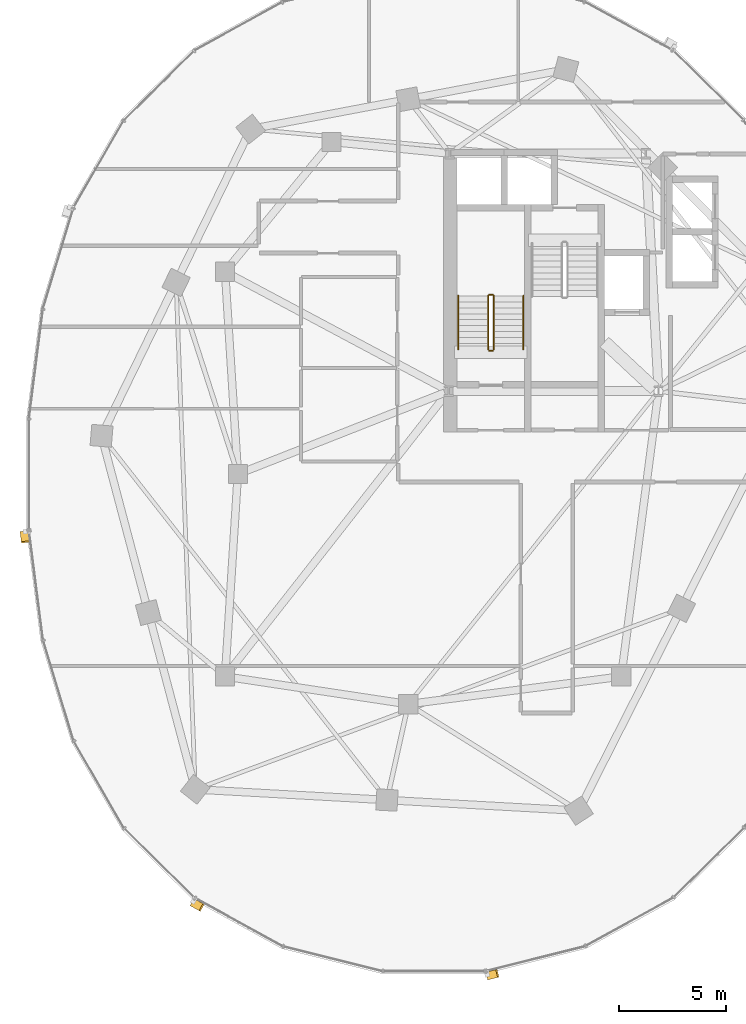
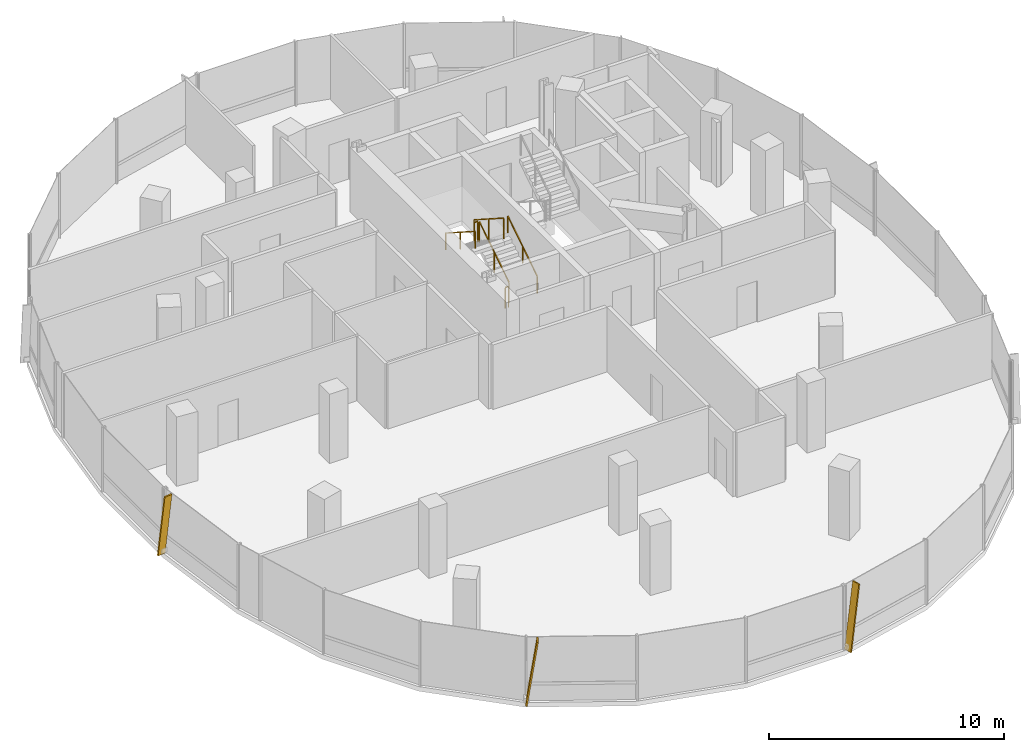
# One storey, part 18 of 22: 6 railings, 3 shading devices.
"""IFC4 building model written with IfcOpenShell, lengths in metres."""

import ifcopenshell
import ifcopenshell.guid

model = None  # the IFC model being written
_history = None  # IfcOwnerHistory: only IFC2X3 demands one
_inside = {}  # id of a spatial element -> (the spatial element, [elements in it])
_under = {}  # id of a project, library or spatial element -> (it, [spatial elements below it])
_declared = {}  # id of a project -> (the project, [libraries it declares])
_typed = {}  # id of a type object -> (the type object, [elements of that type])
_made_of = {}  # id of a material, layer set ... -> (it, [elements and type objects made of it])


def new_model(schema):
    """Start an empty IFC model of exactly this schema.

    Asked for "IFC4X3", IfcOpenShell would pick the latest addendum, in which some entities
    have other attributes; the version numbers below select the first issue.
    IFC2X3 requires an IfcOwnerHistory on every rooted entity: one is made here for all.
    """
    global model, _history
    if schema == "IFC4X3":
        model = ifcopenshell.file(schema_version=(4, 3, 0, 0))
    else:
        model = ifcopenshell.file(schema=schema)
    _inside.clear()
    _under.clear()
    _declared.clear()
    _typed.clear()
    _made_of.clear()
    _history = None
    if model.schema == "IFC2X3":
        org = make("IfcOrganization", Name="unknown")
        user = make(
            "IfcPersonAndOrganization",
            ThePerson=make("IfcPerson", FamilyName="unknown"),
            TheOrganization=org,
        )
        app = make(
            "IfcApplication",
            ApplicationDeveloper=org,
            Version="unknown",
            ApplicationFullName="unknown",
            ApplicationIdentifier="unknown",
        )
        _history = make(
            "IfcOwnerHistory",
            OwningUser=user,
            OwningApplication=app,
            ChangeAction="ADDED",
            CreationDate=0,
        )
    return model


def make(cls, **values):
    """One entity of the class cls with the attributes given. An attribute that is None is left unset."""
    return model.create_entity(
        cls, **{name: value for name, value in values.items() if value is not None}
    )


def rooted(cls, **values):
    """An entity with a GlobalId (a new one), such as an element, a storey or a relation."""
    return make(cls, GlobalId=ifcopenshell.guid.new(), OwnerHistory=_history, **values)


def si_unit(unit_type, name, prefix=None):
    """IfcSIUnit, for example si_unit("LENGTHUNIT", "METRE", prefix="MILLI")."""
    return make("IfcSIUnit", UnitType=unit_type, Prefix=prefix, Name=name)


def assignment(units):
    """IfcUnitAssignment: the units of a project."""
    return None if units is None else make("IfcUnitAssignment", Units=units)


def point(xyz):
    """IfcCartesianPoint."""
    return None if xyz is None else make("IfcCartesianPoint", Coordinates=xyz)


def direction(xyz):
    """IfcDirection."""
    return None if xyz is None else make("IfcDirection", DirectionRatios=xyz)


def frame(location, z_axis=None, x_axis=None):
    """IfcAxis2Placement3D, a coordinate frame: its origin and axes. An axis left out is left unset."""
    return make(
        "IfcAxis2Placement3D",
        Location=point(location),
        Axis=direction(z_axis),
        RefDirection=direction(x_axis),
    )


def frame_2d(location, x_axis=None):
    """IfcAxis2Placement2D, a coordinate frame in the plane: its origin and x axis."""
    return make(
        "IfcAxis2Placement2D", Location=point(location), RefDirection=direction(x_axis)
    )


def origin():
    """The frame at (0, 0, 0) with its axes left unset."""
    return frame((0.0, 0.0, 0.0))


def origin_2d():
    """The frame at (0, 0) in the plane with its x axis left unset."""
    return frame_2d((0.0, 0.0))


def place(relative_to, where):
    """IfcLocalPlacement: puts the frame where relative to a parent placement (None: the world)."""
    return make(
        "IfcLocalPlacement", PlacementRelTo=relative_to, RelativePlacement=where
    )


def context(
    kind, dimensions, precision=None, world=None, true_north=None, identifier=None
):
    """IfcGeometricRepresentationContext, for example the 3D "Model" context."""
    return make(
        "IfcGeometricRepresentationContext",
        ContextIdentifier=identifier,
        ContextType=kind,
        CoordinateSpaceDimension=dimensions,
        Precision=precision,
        WorldCoordinateSystem=world,
        TrueNorth=true_north,
    )


def subcontext(parent, identifier, kind, view, scale=None):
    """IfcGeometricRepresentationSubContext, for example "Body" below "Model"."""
    return make(
        "IfcGeometricRepresentationSubContext",
        ContextIdentifier=identifier,
        ContextType=kind,
        ParentContext=parent,
        TargetScale=scale,
        TargetView=view,
    )


def project(units=None, contexts=None):
    """IfcProject with its units and contexts."""
    return rooted(
        "IfcProject",
        Name="project",
        RepresentationContexts=contexts,
        UnitsInContext=assignment(units),
    )


def spatial(cls, under=None, at=None, **own):
    """A site, building, storey or space (cls), placed at a placement, below another one or the project."""
    s = rooted(cls, ObjectPlacement=at, **own)
    if under is not None:
        _under.setdefault(under.id(), (under, []))[1].append(s)
    return s


def profile(cls, at=None, kind="AREA", **sizes):
    """A parametric profile (cls). Its sizes go by their IFC names, for example OverallWidth=200.0."""
    return make(cls, ProfileType=kind, Position=at, **sizes)


def rectangle(**sizes):
    """IfcRectangleProfileDef."""
    return profile("IfcRectangleProfileDef", **sizes)


def extrude(swept, where, along, depth):
    """IfcExtrudedAreaSolid: the profile swept, set in the frame where, extruded along a direction by depth."""
    return make(
        "IfcExtrudedAreaSolid",
        SweptArea=swept,
        Position=where,
        ExtrudedDirection=direction(along),
        Depth=depth,
    )


def shape(context_of_items, identifier, shape_type, items):
    """IfcShapeRepresentation: the items that make up one representation, for example the "Body"."""
    return make(
        "IfcShapeRepresentation",
        ContextOfItems=context_of_items,
        RepresentationIdentifier=identifier,
        RepresentationType=shape_type,
        Items=items,
    )


def material(Name=None, Category=None):
    """IfcMaterial."""
    return make("IfcMaterial", Name=Name, Category=Category)


def material_profile(
    of_material, cross_section, Name=None, Category=None, Priority=None
):
    """IfcMaterialProfile: a cross section and its material."""
    return make(
        "IfcMaterialProfile",
        Name=Name,
        Material=of_material,
        Profile=cross_section,
        Priority=Priority,
        Category=Category,
    )


def profile_set(profiles, Name=None, composite=None):
    """IfcMaterialProfileSet."""
    return make(
        "IfcMaterialProfileSet",
        Name=Name,
        MaterialProfiles=profiles,
        CompositeProfile=composite,
    )


def made_of(thing, what):
    """Note that an element or type object is made of a material, layer set ...; save() writes the relation."""
    if what is not None:
        _made_of.setdefault(what.id(), (what, []))[1].append(thing)
    return thing


def type_object(cls, material=None, **own):
    """A type object (cls), such as IfcWallType, which elements share."""
    return made_of(rooted(cls, **own), material)


def element(
    cls,
    number,
    at=None,
    inside=None,
    cuts=None,
    type_object=None,
    material=None,
    context=None,
    identifier="Body",
    shape_type=None,
    held_by="IfcProductDefinitionShape",
    body=None,
    shapes=None,
    **own,
):
    """One element of the class cls, such as IfcWall. Its Tag is "e" and its number.

    at: its placement. inside: the storey or other place that contains it. cuts: it is an
    opening in that element (IfcRelVoidsElement). A single representation is given by context,
    identifier, shape_type and body (its items); several are given by shapes. held_by: the class
    of the entity that holds the representations. save() writes the other relations.
    """
    e = rooted(cls, Tag="e%d" % number, ObjectPlacement=at, **own)
    if body is not None:
        shapes = [shape(context, identifier, shape_type, body)]
    if shapes is not None:
        e.Representation = make(held_by, Representations=shapes)
    if inside is not None:
        _inside.setdefault(inside.id(), (inside, []))[1].append(e)
    if cuts is not None:
        rooted(
            "IfcRelVoidsElement", RelatingBuildingElement=cuts, RelatedOpeningElement=e
        )
    if type_object is not None:
        _typed.setdefault(type_object.id(), (type_object, []))[1].append(e)
    return made_of(e, material)


def aggregate(whole, parts):
    """IfcRelAggregates: a whole, such as a stair, and the parts it consists of."""
    return rooted("IfcRelAggregates", RelatingObject=whole, RelatedObjects=parts)


def save(model, path):
    """Write the relations noted so far, then the file.

    IfcRelAggregates (storeys below a building ...), IfcRelContainedInSpatialStructure (elements
    in a storey), IfcRelDefinesByType, IfcRelAssociatesMaterial and IfcRelDeclares: one each for
    every whole, place, type object, material and project.
    """
    for whole, parts in _under.values():
        aggregate(whole, parts)
    for where, things in _inside.values():
        rooted(
            "IfcRelContainedInSpatialStructure",
            RelatedElements=things,
            RelatingStructure=where,
        )
    for kind, things in _typed.values():
        rooted("IfcRelDefinesByType", RelatedObjects=things, RelatingType=kind)
    for what, things in _made_of.values():
        rooted("IfcRelAssociatesMaterial", RelatedObjects=things, RelatingMaterial=what)
    for by, libraries in _declared.values():
        rooted("IfcRelDeclares", RelatingContext=by, RelatedDefinitions=libraries)
    model.write(path)


model = new_model("IFC4")

# Units and contexts
model_context = context("Model", 3, precision=1e-05, world=origin(), true_north=direction((0.0, 1.0)))
body_context = subcontext(model_context, "Body", "Model", "MODEL_VIEW")
ifc_project = project(units=[si_unit("LENGTHUNIT", "METRE"), si_unit("AREAUNIT", "SQUARE_METRE"), si_unit("VOLUMEUNIT", "CUBIC_METRE"), si_unit("PLANEANGLEUNIT", "RADIAN"), si_unit("MASSUNIT", "GRAM", prefix="KILO"), si_unit("THERMODYNAMICTEMPERATUREUNIT", "KELVIN"), si_unit("POWERUNIT", "WATT")], contexts=[model_context])

# Site, building, storey
site_placement = place(None, origin())
site = spatial("IfcSite", under=ifc_project, at=site_placement, CompositionType="ELEMENT")
building_placement = place(site_placement, origin())
building = spatial("IfcBuilding", under=site, at=building_placement, Name="Cundina Bronze Exchange", CompositionType="ELEMENT")
storey_placement = place(building_placement, frame((0.0, 0.0, 147.60009765625)))
storey = spatial("IfcBuildingStorey", under=building, at=storey_placement, Name="L38", CompositionType="ELEMENT", Elevation=147.60009765625)

# Railings
ifc_material_1 = material(Name="Steel ASTM A36 Painted", Category="steel")
railing_type_1 = type_object("IfcRailingType", Name="RLG-HND-900", PredefinedType="HANDRAIL", material=ifc_material_1)
railing_1_placement = place(storey_placement, frame((-27.7900390625, 5.85009765625, 0.179931640625)))
element("IfcRailing", 1, at=railing_1_placement, inside=storey, type_object=railing_type_1, Name="L38 ST-W1 stair handrail 1", PredefinedType="HANDRAIL", context=body_context, shape_type="SweptSolid", body=[
    extrude(rectangle(XDim=0.048095703125, YDim=0.048095703125, at=origin_2d()), frame((0.0, 0.0, 0.8759765625), z_axis=(0.0, 0.841199657755, 0.540724639528), x_axis=(-1.0, 0.0, 0.0)), (0.0, 0.0, 1.0), 2.995849609375),
    extrude(rectangle(XDim=0.0419921875, YDim=0.0419921875, at=origin_2d()), origin(), (0.0, 0.0, 1.0), 0.851806640625),
    extrude(rectangle(XDim=0.0419921875, YDim=0.0419921875, at=origin_2d()), frame((0.0, 1.260009765625, 0.81005859375)), (0.0, 0.0, 1.0), 0.851806640625),
    extrude(rectangle(XDim=0.0419921875, YDim=0.0419921875, at=origin_2d()), frame((0.0, 2.52001953125, 1.619873046875)), (0.0, 0.0, 1.0), 0.851806640625),
])
railing_2_placement = place(storey_placement, frame((-30.85009765625, 8.3701171875, 1.97998046875)))
element("IfcRailing", 2, at=railing_2_placement, inside=storey, type_object=railing_type_1, Name="L38 ST-W1 stair handrail 2", PredefinedType="HANDRAIL", context=body_context, shape_type="SweptSolid", body=[
    extrude(rectangle(XDim=0.048095703125, YDim=0.048095703125, at=origin_2d()), frame((0.0, 0.0, 0.8759765625), z_axis=(0.0, -0.841199657755, 0.540724639528), x_axis=(1.0, 0.0, 0.0)), (0.0, 0.0, 1.0), 2.995849609375),
    extrude(rectangle(XDim=0.0419921875, YDim=0.0419921875, at=origin_2d()), origin(), (0.0, 0.0, 1.0), 0.851806640625),
    extrude(rectangle(XDim=0.0419921875, YDim=0.0419921875, at=origin_2d()), frame((0.0, -1.260009765625, 0.81005859375)), (0.0, 0.0, 1.0), 0.851806640625),
    extrude(rectangle(XDim=0.0419921875, YDim=0.0419921875, at=origin_2d()), frame((0.0, -2.52001953125, 1.619873046875)), (0.0, 0.0, 1.0), 0.851806640625),
])
railing_type_2 = type_object("IfcRailingType", Name="RLG-STG-1100", PredefinedType="GUARDRAIL", material=ifc_material_1)
railing_3_placement = place(storey_placement, frame((-29.18994140625, 5.85009765625, 0.179931640625)))
element("IfcRailing", 3, at=railing_3_placement, inside=storey, type_object=railing_type_2, Name="L38 ST-W1 stair guard 1", PredefinedType="GUARDRAIL", context=body_context, shape_type="SweptSolid", body=[
    extrude(rectangle(XDim=0.048095703125, YDim=0.048095703125, at=origin_2d()), frame((0.0, 0.0, 1.076171875), z_axis=(0.0, 0.841199657755, 0.540724639528), x_axis=(-1.0, 0.0, 0.0)), (0.0, 0.0, 1.0), 2.995849609375),
    extrude(rectangle(XDim=0.0419921875, YDim=0.0419921875, at=origin_2d()), origin(), (0.0, 0.0, 1.0), 1.052001953125),
    extrude(rectangle(XDim=0.0419921875, YDim=0.0419921875, at=origin_2d()), frame((0.0, 1.260009765625, 0.81005859375)), (0.0, 0.0, 1.0), 1.052001953125),
    extrude(rectangle(XDim=0.0419921875, YDim=0.0419921875, at=origin_2d()), frame((0.0, 2.52001953125, 1.619873046875)), (0.0, 0.0, 1.0), 1.052001953125),
])
railing_4_placement = place(storey_placement, frame((-29.239990234375, 8.419921875, 1.7998046875)))
element("IfcRailing", 4, at=railing_4_placement, inside=storey, type_object=railing_type_2, Name="L38 ST-W1 stair guard 2", PredefinedType="GUARDRAIL", context=body_context, shape_type="SweptSolid", body=[
    extrude(rectangle(XDim=0.048095703125, YDim=0.048095703125, at=origin_2d()), frame((0.0, 0.0, 1.076171875), z_axis=(-1.0, 0.0, 0.0), x_axis=(0.0, -1.0, 0.0)), (0.0, 0.0, 1.0), 0.159912109375),
    extrude(rectangle(XDim=0.0419921875, YDim=0.0419921875, at=origin_2d()), origin(), (0.0, 0.0, 1.0), 1.052001953125),
    extrude(rectangle(XDim=0.0419921875, YDim=0.0419921875, at=origin_2d()), frame((-0.159912109375, 0.0, 0.0)), (0.0, 0.0, 1.0), 1.052001953125),
])
railing_5_placement = place(storey_placement, frame((-29.449951171875, 8.3701171875, 1.97998046875)))
element("IfcRailing", 5, at=railing_5_placement, inside=storey, type_object=railing_type_2, Name="L38 ST-W1 stair guard 3", PredefinedType="GUARDRAIL", context=body_context, shape_type="SweptSolid", body=[
    extrude(rectangle(XDim=0.048095703125, YDim=0.048095703125, at=origin_2d()), frame((0.0, 0.0, 1.076171875), z_axis=(0.0, -0.841199657755, 0.540724639528), x_axis=(1.0, 0.0, 0.0)), (0.0, 0.0, 1.0), 2.995849609375),
    extrude(rectangle(XDim=0.0419921875, YDim=0.0419921875, at=origin_2d()), origin(), (0.0, 0.0, 1.0), 1.052001953125),
    extrude(rectangle(XDim=0.0419921875, YDim=0.0419921875, at=origin_2d()), frame((0.0, -1.260009765625, 0.81005859375)), (0.0, 0.0, 1.0), 1.052001953125),
    extrude(rectangle(XDim=0.0419921875, YDim=0.0419921875, at=origin_2d()), frame((0.0, -2.52001953125, 1.619873046875)), (0.0, 0.0, 1.0), 1.052001953125),
])
railing_6_placement = place(storey_placement, frame((-29.239990234375, 5.800048828125, 0.0)))
element("IfcRailing", 6, at=railing_6_placement, inside=storey, type_object=railing_type_2, Name="L38 ST-W1 stair guard 4", PredefinedType="GUARDRAIL", context=body_context, shape_type="SweptSolid", body=[
    extrude(rectangle(XDim=0.048095703125, YDim=0.048095703125, at=origin_2d()), frame((0.0, 0.0, 1.076171875), z_axis=(-1.0, 0.0, 0.0), x_axis=(0.0, -1.0, 0.0)), (0.0, 0.0, 1.0), 0.159912109375),
    extrude(rectangle(XDim=0.0419921875, YDim=0.0419921875, at=origin_2d()), origin(), (0.0, 0.0, 1.0), 1.052001953125),
    extrude(rectangle(XDim=0.0419921875, YDim=0.0419921875, at=origin_2d()), frame((-0.159912109375, 0.0, 0.0)), (0.0, 0.0, 1.0), 1.052001953125),
])

# Shading devices
ifc_material_2 = material(Name="Anodised Bronze Aluminium 6063-T6", Category="aluminium")
ifc_material_profile = material_profile(ifc_material_2, rectangle(XDim=0.070068359375, YDim=0.3798828125, at=origin_2d()), Name="FIN70X380", Category="aluminium")
ifc_profile_set = profile_set([ifc_material_profile], Name="Anodised Bronze Aluminium 6063-T6")
shading_device_type = type_object("IfcShadingDeviceType", Name="SHD-FIN-BRZ380", PredefinedType="USERDEFINED", material=ifc_profile_set)
for number, where, z_axis, x_axis, name in (
    (7, (-51.23486328125, -2.705810546875, 0.02001953125), (0.018123110499, -0.141927973785, 0.989711070527), (-0.125360600332, 0.981739641151, 0.143080386066), "L38 Diagonal Bronze Solar Fin 1"),
    (8, (-43.320068359375, -20.11181640625, 0.02001953125), (0.125333488691, -0.068998924088, 0.989712415345), (-0.867010347902, 0.477308832643, 0.143071083426), "L38 Diagonal Bronze Solar Fin 5"),
    (9, (-29.48046875, -23.556396484375, 0.02001953125), (0.138798398751, 0.034717795597, 0.989711917263), (-0.960131970194, -0.240158861973, 0.143074528925), "L38 Diagonal Bronze Solar Fin 1"),
):
    element("IfcShadingDevice", number, at=place(storey_placement, frame(where, z_axis=z_axis, x_axis=x_axis)), inside=storey, type_object=shading_device_type, Name=name, ObjectType="FIN", PredefinedType="USERDEFINED", context=body_context, shape_type="SweptSolid", body=[
        extrude(rectangle(XDim=0.070068359375, YDim=0.3798828125, at=origin_2d()), origin(), (0.0, 0.0, 1.0), 3.354248046875),
    ])

save(model, "model.ifc")
